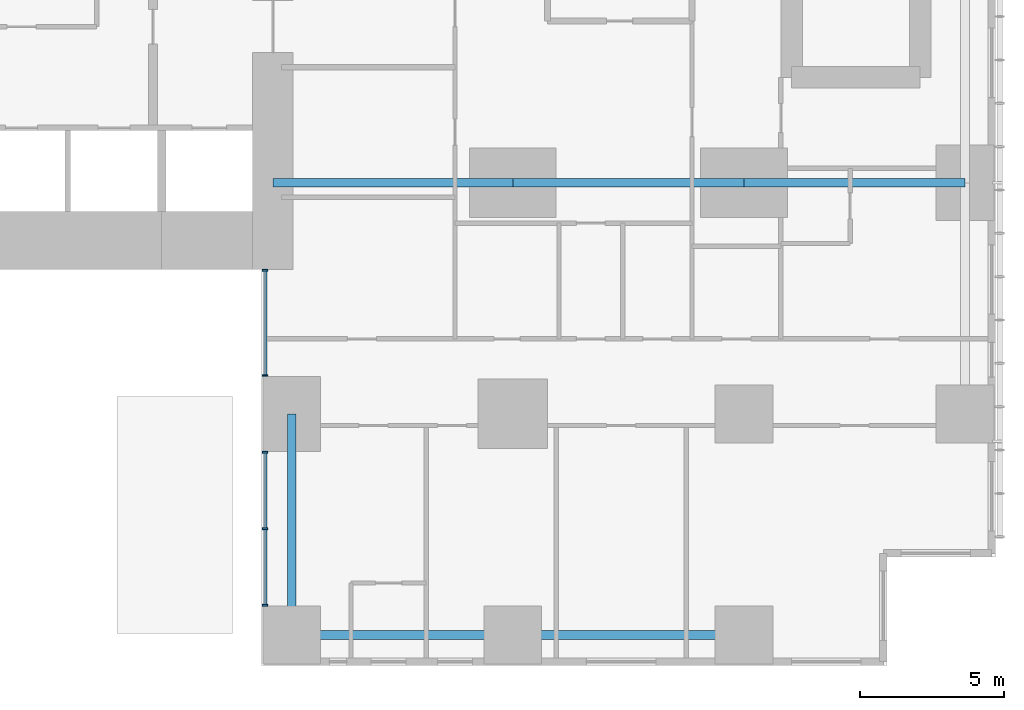
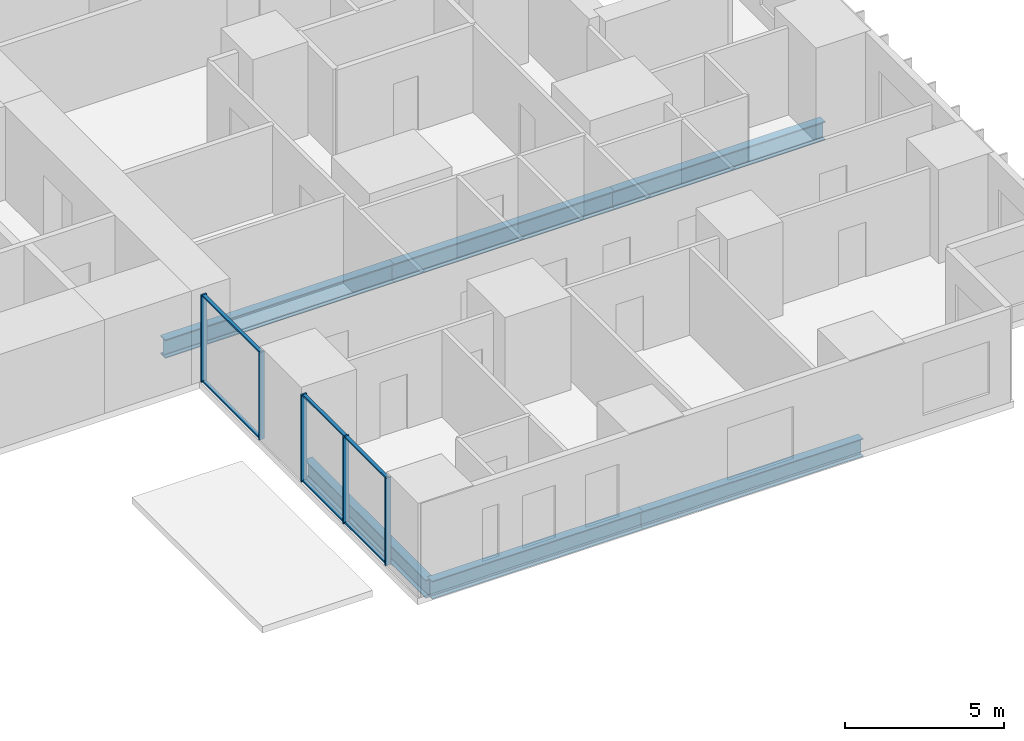
# One storey, part 3 of 22: 11 members, 6 beams, 2 elements without a shape of their own.
"""IFC4 building model written with IfcOpenShell, lengths in metres."""

from ifc_helpers import new_model, si_unit, direction, frame, origin, origin_2d, place, context, subcontext, project, spatial, rectangle, i_section, extrude, material, layer, layer_set, material_profile, profile_set, type_object, element, aggregate, save


model = new_model("IFC4")

# Units and contexts
model_context = context("Model", 3, precision=1e-05, world=origin(), true_north=direction((0.0, 1.0)))
body_context = subcontext(model_context, "Body", "Model", "MODEL_VIEW")
ifc_project = project(units=[si_unit("LENGTHUNIT", "METRE"), si_unit("AREAUNIT", "SQUARE_METRE"), si_unit("VOLUMEUNIT", "CUBIC_METRE"), si_unit("PLANEANGLEUNIT", "RADIAN"), si_unit("MASSUNIT", "GRAM", prefix="KILO")], contexts=[model_context])

# Site, building, storey
site_placement = place(None, origin())
site = spatial("IfcSite", under=ifc_project, at=site_placement, CompositionType="ELEMENT")
building_placement = place(site_placement, origin())
building = spatial("IfcBuilding", under=site, at=building_placement, Name="Cleftline Residences", CompositionType="ELEMENT")
storey_placement = place(building_placement, frame((0.0, 0.0, 29.60009765625)))
storey = spatial("IfcBuildingStorey", under=building, at=storey_placement, Name="L06", CompositionType="ELEMENT", Elevation=29.60009765625)

# Beams
ifc_material_1 = material(Name="Steel S355", Category="steel")
ifc_material_profile_1 = material_profile(ifc_material_1, i_section(OverallWidth=0.300048828125, OverallDepth=0.699951171875, WebThickness=0.01708984375, FlangeThickness=0.031982421875, FilletRadius=0.027099609375, at=origin_2d()))
ifc_profile_set_1 = profile_set([ifc_material_profile_1], Name="Steel S355")
beam_type_1 = type_object("IfcBeamType", Name="BEAM HEB 700", PredefinedType="BEAM", material=ifc_profile_set_1)
beam_1_placement = place(storey_placement, frame((58.0, 0.35009765625, -0.60009765625), z_axis=(-1.0, 0.0, 0.0), x_axis=(0.0, -1.0, 0.0)))
element("IfcBeam", 1, at=beam_1_placement, inside=storey, type_object=beam_type_1, Name="Edge beam", PredefinedType="BEAM", context=body_context, shape_type="SweptSolid", body=[
    extrude(i_section(OverallWidth=0.300048828125, OverallDepth=0.699951171875, WebThickness=0.01708984375, FlangeThickness=0.031982421875, FilletRadius=0.027099609375, at=origin_2d()), origin(), (0.0, 0.0, 1.0), 8.0),
])
for number, where, z_axis, x_axis, name in (
    (2, (50.0, 0.35009765625, -0.60009765625), (-1.0, 0.0, 0.0), (0.0, -1.0, 0.0), "Edge beam"),
    (3, (42.35009765625, 0.35009765625, -0.60009765625), (0.0, 1.0, 0.0), (-1.0, 0.0, 0.0), "Edge beam"),
):
    element("IfcBeam", number, at=place(storey_placement, frame(where, z_axis=z_axis, x_axis=x_axis)), inside=storey, type_object=beam_type_1, Name=name, PredefinedType="BEAM", context=body_context, shape_type="SweptSolid", body=[
        extrude(i_section(OverallWidth=0.300048828125, OverallDepth=0.699951171875, WebThickness=0.01708984375, FlangeThickness=0.031982421875, FilletRadius=0.027099609375, at=origin_2d()), origin(), (0.0, 0.0, 1.0), 7.64990234375),
    ])
ifc_material_2 = material(Name="Steel S355", Category="steel")
ifc_material_profile_2 = material_profile(ifc_material_2, i_section(OverallWidth=0.303955078125, OverallDepth=0.716064453125, WebThickness=0.02099609375, FlangeThickness=0.0400390625, FilletRadius=0.027099609375, at=origin_2d()))
ifc_profile_set_2 = profile_set([ifc_material_profile_2], Name="Steel S355")
beam_type_2 = type_object("IfcBeamType", Name="BEAM HEM 700", PredefinedType="BEAM", material=ifc_profile_set_2)
beam_2_placement = place(storey_placement, frame((65.64990234375, 16.0, -0.608154296875), z_axis=(-1.0, 0.0, 0.0), x_axis=(0.0, -1.0, 0.0)))
element("IfcBeam", 4, at=beam_2_placement, inside=storey, type_object=beam_type_2, Name="Band beam", PredefinedType="BEAM", context=body_context, shape_type="SweptSolid", body=[
    extrude(i_section(OverallWidth=0.303955078125, OverallDepth=0.716064453125, WebThickness=0.02099609375, FlangeThickness=0.0400390625, FilletRadius=0.027099609375, at=origin_2d()), origin(), (0.0, 0.0, 1.0), 7.64990234375),
])
beam_3_placement = place(storey_placement, frame((58.0, 16.0, -0.608154296875), z_axis=(-1.0, 0.0, 0.0), x_axis=(0.0, -1.0, 0.0)))
element("IfcBeam", 5, at=beam_3_placement, inside=storey, type_object=beam_type_2, Name="Band beam", PredefinedType="BEAM", context=body_context, shape_type="SweptSolid", body=[
    extrude(i_section(OverallWidth=0.303955078125, OverallDepth=0.716064453125, WebThickness=0.02099609375, FlangeThickness=0.0400390625, FilletRadius=0.027099609375, at=origin_2d()), origin(), (0.0, 0.0, 1.0), 8.0),
])
beam_4_placement = place(storey_placement, frame((50.0, 16.0, -0.608154296875), z_axis=(-1.0, 0.0, 0.0), x_axis=(0.0, -1.0, 0.0)))
element("IfcBeam", 6, at=beam_4_placement, inside=storey, type_object=beam_type_2, Name="Band beam", PredefinedType="BEAM", context=body_context, shape_type="SweptSolid", body=[
    extrude(i_section(OverallWidth=0.303955078125, OverallDepth=0.716064453125, WebThickness=0.02099609375, FlangeThickness=0.0400390625, FilletRadius=0.027099609375, at=origin_2d()), origin(), (0.0, 0.0, 1.0), 8.300048828125),
])

# Curtain wall, members
ifc_material_3 = material(Name="Aluminium framed curtain wall", Category="aluminium")
ifc_layer = layer(ifc_material_3, 0.199951171875)
ifc_layer_set = layer_set([ifc_layer], Name="CW1 CLEFT GLAZING")
curtain_wall_type = type_object("IfcCurtainWallType", Name="CW1 CLEFT GLAZING", PredefinedType="NOTDEFINED", material=ifc_layer_set)
curtain_wall_1_placement = place(storey_placement, origin())
curtain_wall_1 = element("IfcCurtainWall", 7, at=curtain_wall_1_placement, inside=storey, type_object=curtain_wall_type, Name="Curtain wall CW1", PredefinedType="NOTDEFINED")
ifc_material_4 = material(Name="Aluminium mullion", Category="aluminium")
ifc_material_profile_3 = material_profile(ifc_material_4, rectangle(XDim=0.199951171875, YDim=0.06005859375, at=origin_2d()))
ifc_profile_set_3 = profile_set([ifc_material_profile_3], Name="Aluminium mullion")
member_type_1 = type_object("IfcMemberType", Name="CW1 MULLION", PredefinedType="MULLION", material=ifc_profile_set_3)
member_1_placement = place(storey_placement, frame((41.425048828125, 12.969970703125, 0.0), z_axis=(0.0, 0.0, 1.0), x_axis=(1.0, 0.0, 0.0)))
member_1 = element("IfcMember", 8, at=member_1_placement, type_object=member_type_1, Name="CW1 mullion 1", PredefinedType="MULLION", context=body_context, shape_type="SweptSolid", body=[
    extrude(rectangle(XDim=0.199951171875, YDim=0.06005859375, at=origin_2d()), origin(), (0.0, 0.0, 1.0), 3.349853515625),
])
member_2_placement = place(storey_placement, frame((41.425048828125, 9.330078125, 0.0), z_axis=(0.0, 0.0, 1.0), x_axis=(1.0, 0.0, 0.0)))
member_2 = element("IfcMember", 9, at=member_2_placement, type_object=member_type_1, Name="CW1 mullion 2", PredefinedType="MULLION", context=body_context, shape_type="SweptSolid", body=[
    extrude(rectangle(XDim=0.199951171875, YDim=0.06005859375, at=origin_2d()), origin(), (0.0, 0.0, 1.0), 3.349853515625),
])

curtain_wall_2_placement = place(storey_placement, origin())
curtain_wall_2 = element("IfcCurtainWall", 10, at=curtain_wall_2_placement, inside=storey, type_object=curtain_wall_type, Name="Curtain wall CW1", PredefinedType="NOTDEFINED")
member_3_placement = place(storey_placement, frame((41.425048828125, 6.669921875, 0.0), z_axis=(0.0, 0.0, 1.0), x_axis=(1.0, 0.0, 0.0)))
member_3 = element("IfcMember", 11, at=member_3_placement, type_object=member_type_1, Name="CW1 mullion 1", PredefinedType="MULLION", context=body_context, shape_type="SweptSolid", body=[
    extrude(rectangle(XDim=0.199951171875, YDim=0.06005859375, at=origin_2d()), origin(), (0.0, 0.0, 1.0), 3.349853515625),
])
member_4_placement = place(storey_placement, frame((41.425048828125, 4.02490234375, 0.0), z_axis=(0.0, 0.0, 1.0), x_axis=(1.0, 0.0, 0.0)))
member_4 = element("IfcMember", 12, at=member_4_placement, type_object=member_type_1, Name="CW1 mullion 2", PredefinedType="MULLION", context=body_context, shape_type="SweptSolid", body=[
    extrude(rectangle(XDim=0.199951171875, YDim=0.06005859375, at=origin_2d()), origin(), (0.0, 0.0, 1.0), 3.349853515625),
])
member_5_placement = place(storey_placement, frame((41.425048828125, 1.3798828125, 0.0), z_axis=(0.0, 0.0, 1.0), x_axis=(1.0, 0.0, 0.0)))
member_5 = element("IfcMember", 13, at=member_5_placement, type_object=member_type_1, Name="CW1 mullion 3", PredefinedType="MULLION", context=body_context, shape_type="SweptSolid", body=[
    extrude(rectangle(XDim=0.199951171875, YDim=0.06005859375, at=origin_2d()), origin(), (0.0, 0.0, 1.0), 3.349853515625),
])

# Member
ifc_material_5 = material(Name="Aluminium transom", Category="aluminium")
ifc_material_profile_4 = material_profile(ifc_material_5, rectangle(XDim=0.1201171875, YDim=0.06005859375, at=origin_2d()))
ifc_profile_set_4 = profile_set([ifc_material_profile_4], Name="Aluminium transom")
member_type_2 = type_object("IfcMemberType", Name="CW1 TRANSOM", PredefinedType="USERDEFINED", material=ifc_profile_set_4)
member_6_placement = place(storey_placement, frame((41.425048828125, 12.93994140625, 0.02978515625), z_axis=(0.0, -1.0, 0.0), x_axis=(1.0, 0.0, 0.0)))
member_6 = element("IfcMember", 14, at=member_6_placement, type_object=member_type_2, Name="CW1 transom 1.1", ObjectType="TRANSOM", PredefinedType="USERDEFINED", context=body_context, shape_type="SweptSolid", body=[
    extrude(rectangle(XDim=0.1201171875, YDim=0.06005859375, at=origin_2d()), origin(), (0.0, 0.0, 1.0), 3.579833984375),
])

member_7_placement = place(storey_placement, frame((41.425048828125, 12.93994140625, 3.31982421875), z_axis=(0.0, -1.0, 0.0), x_axis=(1.0, 0.0, 0.0)))
member_7 = element("IfcMember", 15, at=member_7_placement, type_object=member_type_2, Name="CW1 transom 1.2", ObjectType="TRANSOM", PredefinedType="USERDEFINED", context=body_context, shape_type="SweptSolid", body=[
    extrude(rectangle(XDim=0.1201171875, YDim=0.06005859375, at=origin_2d()), origin(), (0.0, 0.0, 1.0), 3.579833984375),
])

aggregate(curtain_wall_1, [member_1, member_2, member_6, member_7])

member_8_placement = place(storey_placement, frame((41.425048828125, 6.639892578125, 0.02978515625), z_axis=(0.0, -1.0, 0.0), x_axis=(1.0, 0.0, 0.0)))
member_8 = element("IfcMember", 16, at=member_8_placement, type_object=member_type_2, Name="CW1 transom 1.1", ObjectType="TRANSOM", PredefinedType="USERDEFINED", context=body_context, shape_type="SweptSolid", body=[
    extrude(rectangle(XDim=0.1201171875, YDim=0.06005859375, at=origin_2d()), origin(), (0.0, 0.0, 1.0), 2.5849609375),
])

member_9_placement = place(storey_placement, frame((41.425048828125, 6.639892578125, 3.31982421875), z_axis=(0.0, -1.0, 0.0), x_axis=(1.0, 0.0, 0.0)))
member_9 = element("IfcMember", 17, at=member_9_placement, type_object=member_type_2, Name="CW1 transom 1.2", ObjectType="TRANSOM", PredefinedType="USERDEFINED", context=body_context, shape_type="SweptSolid", body=[
    extrude(rectangle(XDim=0.1201171875, YDim=0.06005859375, at=origin_2d()), origin(), (0.0, 0.0, 1.0), 2.5849609375),
])

member_10_placement = place(storey_placement, frame((41.425048828125, 3.9951171875, 0.02978515625), z_axis=(0.0, -1.0, 0.0), x_axis=(1.0, 0.0, 0.0)))
member_10 = element("IfcMember", 18, at=member_10_placement, type_object=member_type_2, Name="CW1 transom 2.1", ObjectType="TRANSOM", PredefinedType="USERDEFINED", context=body_context, shape_type="SweptSolid", body=[
    extrude(rectangle(XDim=0.1201171875, YDim=0.06005859375, at=origin_2d()), origin(), (0.0, 0.0, 1.0), 2.585205078125),
])

member_11_placement = place(storey_placement, frame((41.425048828125, 3.9951171875, 3.31982421875), z_axis=(0.0, -1.0, 0.0), x_axis=(1.0, 0.0, 0.0)))
member_11 = element("IfcMember", 19, at=member_11_placement, type_object=member_type_2, Name="CW1 transom 2.2", ObjectType="TRANSOM", PredefinedType="USERDEFINED", context=body_context, shape_type="SweptSolid", body=[
    extrude(rectangle(XDim=0.1201171875, YDim=0.06005859375, at=origin_2d()), origin(), (0.0, 0.0, 1.0), 2.585205078125),
])

aggregate(curtain_wall_2, [member_3, member_4, member_5, member_8, member_9, member_10, member_11])

save(model, "model.ifc")
